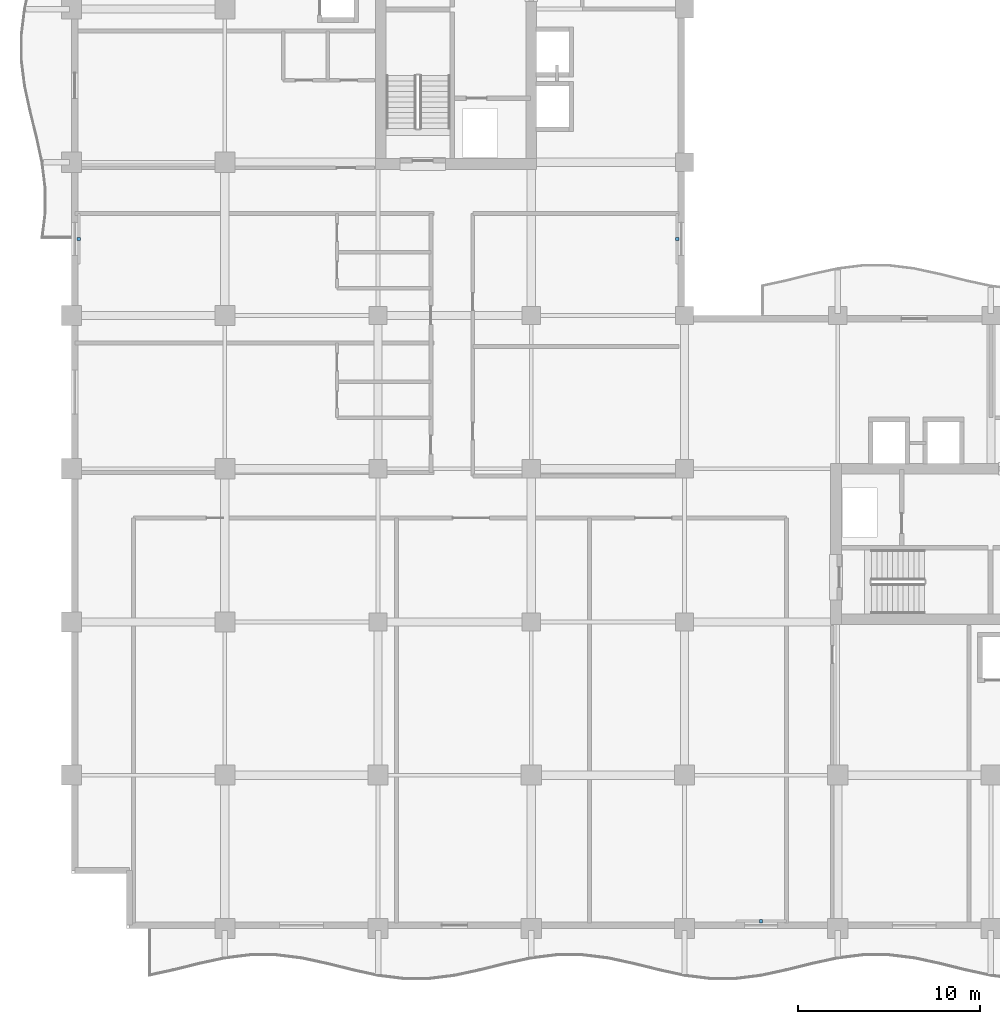
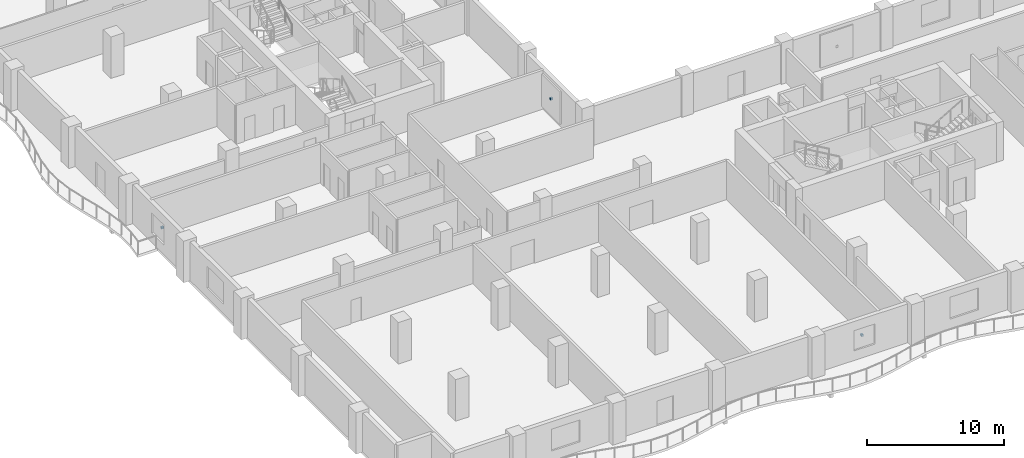
# One storey, part 10 of 15: 3 discrete accessories.
"""IFC4 building model written with IfcOpenShell, lengths in metres."""

import ifcopenshell
import ifcopenshell.guid

model = None  # the IFC model being written
_history = None  # IfcOwnerHistory: only IFC2X3 demands one
_inside = {}  # id of a spatial element -> (the spatial element, [elements in it])
_under = {}  # id of a project, library or spatial element -> (it, [spatial elements below it])
_declared = {}  # id of a project -> (the project, [libraries it declares])
_typed = {}  # id of a type object -> (the type object, [elements of that type])
_made_of = {}  # id of a material, layer set ... -> (it, [elements and type objects made of it])


def new_model(schema):
    """Start an empty IFC model of exactly this schema.

    Asked for "IFC4X3", IfcOpenShell would pick the latest addendum, in which some entities
    have other attributes; the version numbers below select the first issue.
    IFC2X3 requires an IfcOwnerHistory on every rooted entity: one is made here for all.
    """
    global model, _history
    if schema == "IFC4X3":
        model = ifcopenshell.file(schema_version=(4, 3, 0, 0))
    else:
        model = ifcopenshell.file(schema=schema)
    _inside.clear()
    _under.clear()
    _declared.clear()
    _typed.clear()
    _made_of.clear()
    _history = None
    if model.schema == "IFC2X3":
        org = make("IfcOrganization", Name="unknown")
        user = make(
            "IfcPersonAndOrganization",
            ThePerson=make("IfcPerson", FamilyName="unknown"),
            TheOrganization=org,
        )
        app = make(
            "IfcApplication",
            ApplicationDeveloper=org,
            Version="unknown",
            ApplicationFullName="unknown",
            ApplicationIdentifier="unknown",
        )
        _history = make(
            "IfcOwnerHistory",
            OwningUser=user,
            OwningApplication=app,
            ChangeAction="ADDED",
            CreationDate=0,
        )
    return model


def make(cls, **values):
    """One entity of the class cls with the attributes given. An attribute that is None is left unset."""
    return model.create_entity(
        cls, **{name: value for name, value in values.items() if value is not None}
    )


def rooted(cls, **values):
    """An entity with a GlobalId (a new one), such as an element, a storey or a relation."""
    return make(cls, GlobalId=ifcopenshell.guid.new(), OwnerHistory=_history, **values)


def si_unit(unit_type, name, prefix=None):
    """IfcSIUnit, for example si_unit("LENGTHUNIT", "METRE", prefix="MILLI")."""
    return make("IfcSIUnit", UnitType=unit_type, Prefix=prefix, Name=name)


def assignment(units):
    """IfcUnitAssignment: the units of a project."""
    return None if units is None else make("IfcUnitAssignment", Units=units)


def point(xyz):
    """IfcCartesianPoint."""
    return None if xyz is None else make("IfcCartesianPoint", Coordinates=xyz)


def direction(xyz):
    """IfcDirection."""
    return None if xyz is None else make("IfcDirection", DirectionRatios=xyz)


def frame(location, z_axis=None, x_axis=None):
    """IfcAxis2Placement3D, a coordinate frame: its origin and axes. An axis left out is left unset."""
    return make(
        "IfcAxis2Placement3D",
        Location=point(location),
        Axis=direction(z_axis),
        RefDirection=direction(x_axis),
    )


def frame_2d(location, x_axis=None):
    """IfcAxis2Placement2D, a coordinate frame in the plane: its origin and x axis."""
    return make(
        "IfcAxis2Placement2D", Location=point(location), RefDirection=direction(x_axis)
    )


def origin():
    """The frame at (0, 0, 0) with its axes left unset."""
    return frame((0.0, 0.0, 0.0))


def origin_2d():
    """The frame at (0, 0) in the plane with its x axis left unset."""
    return frame_2d((0.0, 0.0))


def place(relative_to, where):
    """IfcLocalPlacement: puts the frame where relative to a parent placement (None: the world)."""
    return make(
        "IfcLocalPlacement", PlacementRelTo=relative_to, RelativePlacement=where
    )


def context(
    kind, dimensions, precision=None, world=None, true_north=None, identifier=None
):
    """IfcGeometricRepresentationContext, for example the 3D "Model" context."""
    return make(
        "IfcGeometricRepresentationContext",
        ContextIdentifier=identifier,
        ContextType=kind,
        CoordinateSpaceDimension=dimensions,
        Precision=precision,
        WorldCoordinateSystem=world,
        TrueNorth=true_north,
    )


def subcontext(parent, identifier, kind, view, scale=None):
    """IfcGeometricRepresentationSubContext, for example "Body" below "Model"."""
    return make(
        "IfcGeometricRepresentationSubContext",
        ContextIdentifier=identifier,
        ContextType=kind,
        ParentContext=parent,
        TargetScale=scale,
        TargetView=view,
    )


def project(units=None, contexts=None):
    """IfcProject with its units and contexts."""
    return rooted(
        "IfcProject",
        Name="project",
        RepresentationContexts=contexts,
        UnitsInContext=assignment(units),
    )


def spatial(cls, under=None, at=None, **own):
    """A site, building, storey or space (cls), placed at a placement, below another one or the project."""
    s = rooted(cls, ObjectPlacement=at, **own)
    if under is not None:
        _under.setdefault(under.id(), (under, []))[1].append(s)
    return s


def profile(cls, at=None, kind="AREA", **sizes):
    """A parametric profile (cls). Its sizes go by their IFC names, for example OverallWidth=200.0."""
    return make(cls, ProfileType=kind, Position=at, **sizes)


def rectangle(**sizes):
    """IfcRectangleProfileDef."""
    return profile("IfcRectangleProfileDef", **sizes)


def extrude(swept, where, along, depth):
    """IfcExtrudedAreaSolid: the profile swept, set in the frame where, extruded along a direction by depth."""
    return make(
        "IfcExtrudedAreaSolid",
        SweptArea=swept,
        Position=where,
        ExtrudedDirection=direction(along),
        Depth=depth,
    )


def shape(context_of_items, identifier, shape_type, items):
    """IfcShapeRepresentation: the items that make up one representation, for example the "Body"."""
    return make(
        "IfcShapeRepresentation",
        ContextOfItems=context_of_items,
        RepresentationIdentifier=identifier,
        RepresentationType=shape_type,
        Items=items,
    )


def material(Name=None, Category=None):
    """IfcMaterial."""
    return make("IfcMaterial", Name=Name, Category=Category)


def made_of(thing, what):
    """Note that an element or type object is made of a material, layer set ...; save() writes the relation."""
    if what is not None:
        _made_of.setdefault(what.id(), (what, []))[1].append(thing)
    return thing


def type_object(cls, material=None, **own):
    """A type object (cls), such as IfcWallType, which elements share."""
    return made_of(rooted(cls, **own), material)


def element(
    cls,
    number,
    at=None,
    inside=None,
    cuts=None,
    type_object=None,
    material=None,
    context=None,
    identifier="Body",
    shape_type=None,
    held_by="IfcProductDefinitionShape",
    body=None,
    shapes=None,
    **own,
):
    """One element of the class cls, such as IfcWall. Its Tag is "e" and its number.

    at: its placement. inside: the storey or other place that contains it. cuts: it is an
    opening in that element (IfcRelVoidsElement). A single representation is given by context,
    identifier, shape_type and body (its items); several are given by shapes. held_by: the class
    of the entity that holds the representations. save() writes the other relations.
    """
    e = rooted(cls, Tag="e%d" % number, ObjectPlacement=at, **own)
    if body is not None:
        shapes = [shape(context, identifier, shape_type, body)]
    if shapes is not None:
        e.Representation = make(held_by, Representations=shapes)
    if inside is not None:
        _inside.setdefault(inside.id(), (inside, []))[1].append(e)
    if cuts is not None:
        rooted(
            "IfcRelVoidsElement", RelatingBuildingElement=cuts, RelatedOpeningElement=e
        )
    if type_object is not None:
        _typed.setdefault(type_object.id(), (type_object, []))[1].append(e)
    return made_of(e, material)


def aggregate(whole, parts):
    """IfcRelAggregates: a whole, such as a stair, and the parts it consists of."""
    return rooted("IfcRelAggregates", RelatingObject=whole, RelatedObjects=parts)


def save(model, path):
    """Write the relations noted so far, then the file.

    IfcRelAggregates (storeys below a building ...), IfcRelContainedInSpatialStructure (elements
    in a storey), IfcRelDefinesByType, IfcRelAssociatesMaterial and IfcRelDeclares: one each for
    every whole, place, type object, material and project.
    """
    for whole, parts in _under.values():
        aggregate(whole, parts)
    for where, things in _inside.values():
        rooted(
            "IfcRelContainedInSpatialStructure",
            RelatedElements=things,
            RelatingStructure=where,
        )
    for kind, things in _typed.values():
        rooted("IfcRelDefinesByType", RelatedObjects=things, RelatingType=kind)
    for what, things in _made_of.values():
        rooted("IfcRelAssociatesMaterial", RelatedObjects=things, RelatingMaterial=what)
    for by, libraries in _declared.values():
        rooted("IfcRelDeclares", RelatingContext=by, RelatedDefinitions=libraries)
    model.write(path)


model = new_model("IFC4")

# Units and contexts
model_context = context("Model", 3, precision=1e-05, world=origin(), true_north=direction((0.0, 1.0)))
body_context = subcontext(model_context, "Body", "Model", "MODEL_VIEW")
ifc_project = project(units=[si_unit("LENGTHUNIT", "METRE"), si_unit("AREAUNIT", "SQUARE_METRE"), si_unit("VOLUMEUNIT", "CUBIC_METRE"), si_unit("PLANEANGLEUNIT", "RADIAN"), si_unit("MASSUNIT", "GRAM", prefix="KILO")], contexts=[model_context])

# Site, building, storey
site_placement = place(None, origin())
site = spatial("IfcSite", under=ifc_project, at=site_placement, CompositionType="ELEMENT")
building_placement = place(site_placement, origin())
building = spatial("IfcBuilding", under=site, at=building_placement, Name="Koriwani Terraces Tower", CompositionType="ELEMENT")
storey_placement = place(building_placement, frame((0.0, 0.0, 216.10009765625)))
storey = spatial("IfcBuildingStorey", under=building, at=storey_placement, Name="L53", CompositionType="ELEMENT", Elevation=216.10009765625)

# Discrete accessories
ifc_material = material(Name="Steel ASTM A572 Grade 50", Category="steel")
discrete_accessory_type = type_object("IfcDiscreteAccessoryType", Name="BAGUETTE_STANDOFF_BRACKET", PredefinedType="BRACKET", material=ifc_material)
for number, where, z_axis, x_axis, name in (
    (1, (0.389892578125, 37.800048828125, 1.64501953125), (0.0, 0.0, 1.0), (0.0, 1.0, 0.0), "L53 Terracotta Baguette Bracket (W-12)"),
    (2, (33.2099609375, 37.800048828125, 1.64501953125), (0.0, 0.0, 1.0), (0.0, -1.0, 0.0), "L53 Terracotta Baguette Bracket (NW_IN-2)"),
    (3, (37.800048828125, 0.389892578125, 1.64501953125), (0.0, 0.0, 1.0), (-1.0, 0.0, 0.0), "L53 Terracotta Baguette Bracket (S-12)"),
):
    element("IfcDiscreteAccessory", number, at=place(storey_placement, frame(where, z_axis=z_axis, x_axis=x_axis)), inside=storey, type_object=discrete_accessory_type, Name=name, PredefinedType="BRACKET", context=body_context, shape_type="SweptSolid", body=[
        extrude(rectangle(XDim=0.159912109375, YDim=0.199951171875, at=origin_2d()), origin(), (0.0, 0.0, 1.0), 0.179931640625),
    ])

save(model, "model.ifc")
